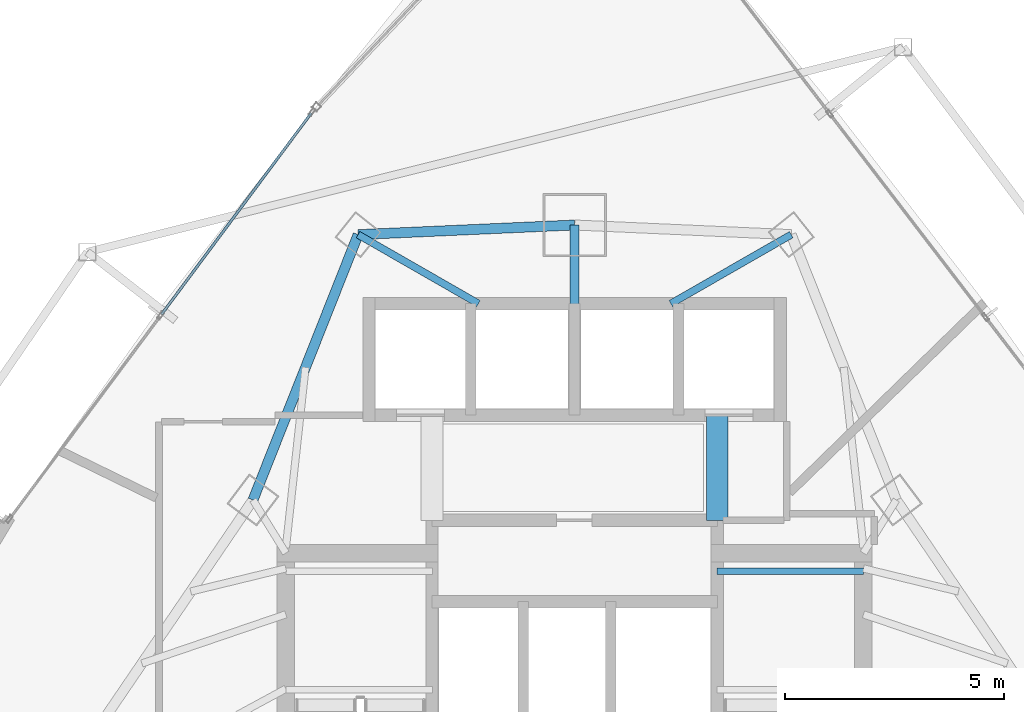
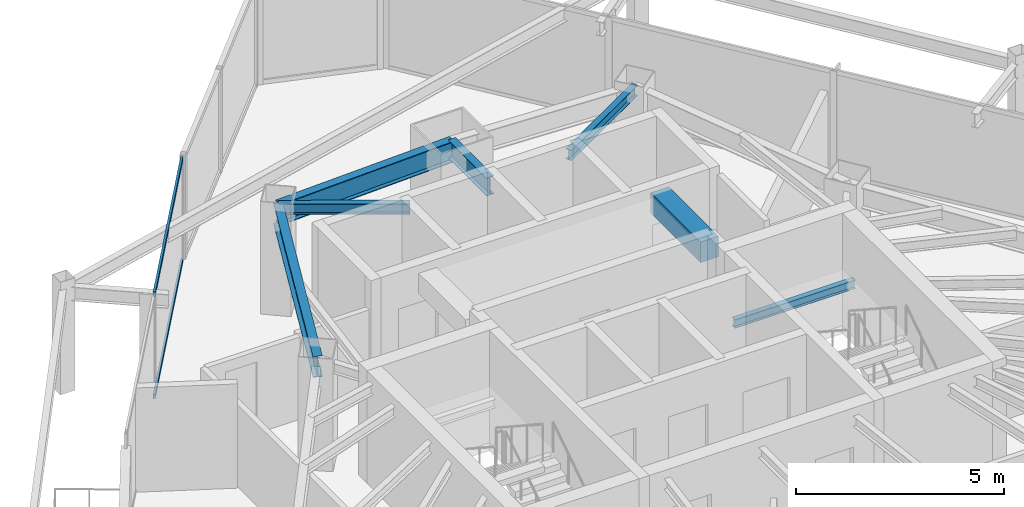
# One storey, part 18 of 31: 7 beams, 2 members, 1 element without a shape of its own.
"""IFC4 building model written with IfcOpenShell, lengths in metres."""

from ifc_helpers import new_model, si_unit, direction, frame, origin, origin_2d, place, context, subcontext, project, spatial, rectangle, hollow_rectangle, i_section, extrude, material, layer, layer_set, material_profile, profile_set, type_object, element, aggregate, save


model = new_model("IFC4")

# Units and contexts
model_context = context("Model", 3, precision=1e-05, world=origin(), true_north=direction((0.0, 1.0)))
body_context = subcontext(model_context, "Body", "Model", "MODEL_VIEW")
ifc_project = project(units=[si_unit("LENGTHUNIT", "METRE"), si_unit("AREAUNIT", "SQUARE_METRE"), si_unit("VOLUMEUNIT", "CUBIC_METRE"), si_unit("PLANEANGLEUNIT", "RADIAN"), si_unit("MASSUNIT", "GRAM", prefix="KILO")], contexts=[model_context])

# Site, building, storey
site_placement = place(None, origin())
site = spatial("IfcSite", under=ifc_project, at=site_placement, CompositionType="ELEMENT")
building_placement = place(site_placement, origin())
building = spatial("IfcBuilding", under=site, at=building_placement, Name="Orvanel Arch Residences", CompositionType="ELEMENT")
storey_placement = place(building_placement, frame((0.0, 0.0, 110.0)))
storey = spatial("IfcBuildingStorey", under=building, at=storey_placement, Name="L30", CompositionType="ELEMENT", Elevation=110.0)

# Beams
ifc_material_1 = material(Name="Structural steel AS/NZS 3679.1 Grade 300 (300 MPa)", Category="steel")
ifc_material_profile_1 = material_profile(ifc_material_1, i_section(OverallWidth=0.208984375, OverallDepth=0.532958984375, WebThickness=0.01025390625, FlangeThickness=0.015625, at=origin_2d()), Name="530UB92.4")
ifc_profile_set_1 = profile_set([ifc_material_profile_1], Name="Structural steel AS/NZS 3679.1 Grade 300 (300 MPa)")
beam_type_1 = type_object("IfcBeamType", Name="BG-530UB", PredefinedType="BEAM", material=ifc_profile_set_1)
beam_1_placement = place(storey_placement, frame((33.0, 39.550048828125, 2.7939453125), z_axis=(0.0, 1.0, 0.0), x_axis=(-1.0, 0.0, 0.0)))
element("IfcBeam", 1, at=beam_1_placement, inside=storey, type_object=beam_type_1, Name="L30 North Radial Girder", PredefinedType="BEAM", context=body_context, shape_type="SweptSolid", body=[
    extrude(i_section(OverallWidth=0.208984375, OverallDepth=0.532958984375, WebThickness=0.01025390625, FlangeThickness=0.015625, at=origin_2d()), origin(), (0.0, 0.0, 1.0), 1.847900390625),
])
ifc_material_profile_2 = material_profile(ifc_material_1, i_section(OverallWidth=0.14599609375, OverallDepth=0.251953125, WebThickness=0.006103515625, FlangeThickness=0.008544921875, at=origin_2d()), Name="250UB31.4")
ifc_profile_set_2 = profile_set([ifc_material_profile_2], Name="Structural steel AS/NZS 3679.1 Grade 300 (300 MPa)")
beam_type_2 = type_object("IfcBeamType", Name="BJ-250UB", PredefinedType="JOIST", material=ifc_profile_set_2)
beam_2_placement = place(storey_placement, frame((36.25, 33.47998046875, 1.323974609375), z_axis=(1.0, 0.0, 0.0), x_axis=(0.0, 1.0, 0.0)))
element("IfcBeam", 2, at=beam_2_placement, inside=storey, type_object=beam_type_2, Name="L30 ST-2 Half-Landing Support Beam 1.2", PredefinedType="JOIST", context=body_context, shape_type="SweptSolid", body=[
    extrude(i_section(OverallWidth=0.14599609375, OverallDepth=0.251953125, WebThickness=0.006103515625, FlangeThickness=0.008544921875, at=origin_2d()), origin(), (0.0, 0.0, 1.0), 3.35009765625),
])
ifc_material_profile_3 = material_profile(ifc_material_1, i_section(OverallWidth=0.1650390625, OverallDepth=0.303955078125, WebThickness=0.006103515625, FlangeThickness=0.01025390625, at=origin_2d()), Name="310UB40.4")
ifc_profile_set_3 = profile_set([ifc_material_profile_3], Name="Structural steel AS/NZS 3679.1 Grade 300 (300 MPa)")
beam_type_3 = type_object("IfcBeamType", Name="BJ-310UB", PredefinedType="JOIST", material=ifc_profile_set_3)
for number, where, z_axis, x_axis, name in (
    (3, (30.800048828125, 39.60009765625, 2.907958984375), (-0.86736513383, 0.497672306458, 0.0), (-0.497672306458, -0.86736513383, 0.0), "L30 MNW Wing Floor Joist"),
    (4, (35.199951171875, 39.60009765625, 2.907958984375), (0.86736513383, 0.497672306458, 0.0), (-0.497672306458, 0.86736513383, 0.0), "L30 MNE Wing Floor Joist"),
):
    element("IfcBeam", number, at=place(storey_placement, frame(where, z_axis=z_axis, x_axis=x_axis)), inside=storey, type_object=beam_type_3, Name=name, PredefinedType="JOIST", context=body_context, shape_type="SweptSolid", body=[
        extrude(i_section(OverallWidth=0.1650390625, OverallDepth=0.303955078125, WebThickness=0.006103515625, FlangeThickness=0.01025390625, at=origin_2d()), origin(), (0.0, 0.0, 1.0), 3.17041015625),
    ])
ifc_material_2 = material(Name="Concrete S65 (65 MPa)", Category="concrete")
ifc_material_profile_4 = material_profile(ifc_material_2, rectangle(XDim=0.5, YDim=0.60009765625, at=origin_2d()), Name="RC500x600")
ifc_profile_set_4 = profile_set([ifc_material_profile_4], Name="Concrete S65 (65 MPa)")
beam_type_4 = type_object("IfcBeamType", Name="CB-500x600", PredefinedType="LINTEL", material=ifc_profile_set_4)
beam_3_placement = place(storey_placement, frame((36.260009765625, 34.64990234375, 2.760009765625), z_axis=(0.0, 1.0, 0.0), x_axis=(-1.0, 0.0, 0.0)))
element("IfcBeam", 5, at=beam_3_placement, inside=storey, type_object=beam_type_4, Name="L30 East Core Lobby Coupling Lintel Beam", PredefinedType="LINTEL", context=body_context, shape_type="SweptSolid", body=[
    extrude(rectangle(XDim=0.5, YDim=0.60009765625, at=origin_2d()), origin(), (0.0, 0.0, 1.0), 2.400146484375),
])
ifc_material_profile_5 = material_profile(ifc_material_1, i_section(OverallWidth=0.22900390625, OverallDepth=0.612060546875, WebThickness=0.011962890625, FlangeThickness=0.01953125, at=origin_2d()), Name="610UB125")
ifc_profile_set_5 = profile_set([ifc_material_profile_5], Name="Structural steel AS/NZS 3679.1 Grade 300 (300 MPa)")
beam_type_5 = type_object("IfcBeamType", Name="SP-610UB", PredefinedType="SPANDREL", material=ifc_profile_set_5)
beam_4_placement = place(storey_placement, frame((33.0, 41.39794921875, 2.75390625), z_axis=(-0.999014049296, -0.044395149614, 0.0), x_axis=(0.044395149614, -0.999014049296, 0.0)))
element("IfcBeam", 6, at=beam_4_placement, inside=storey, type_object=beam_type_5, Name="L30 Perimeter Spandrel Beam 15", PredefinedType="SPANDREL", context=body_context, shape_type="SweptSolid", body=[
    extrude(i_section(OverallWidth=0.22900390625, OverallDepth=0.612060546875, WebThickness=0.011962890625, FlangeThickness=0.01953125, at=origin_2d()), origin(), (0.0, 0.0, 1.0), 4.954833984375),
])
beam_5_placement = place(storey_placement, frame((28.050048828125, 41.177978515625, 2.75390625), z_axis=(-0.368233143579, -0.929733484376, 0.0), x_axis=(0.929733484376, -0.368233143579, 0.0)))
element("IfcBeam", 7, at=beam_5_placement, inside=storey, type_object=beam_type_5, Name="L30 Perimeter Spandrel Beam 16", PredefinedType="SPANDREL", context=body_context, shape_type="SweptSolid", body=[
    extrude(i_section(OverallWidth=0.22900390625, OverallDepth=0.612060546875, WebThickness=0.011962890625, FlangeThickness=0.01953125, at=origin_2d()), origin(), (0.0, 0.0, 1.0), 6.523193359375),
])

# Curtain wall, members
ifc_material_3 = material(Name="Bronze-anodised aluminium AA6063-T6", Category="aluminium")
ifc_layer = layer(ifc_material_3, 0.179931640625)
ifc_layer_set = layer_set([ifc_layer], Name="Bronze-anodised aluminium AA6063-T6")
curtain_wall_type = type_object("IfcCurtainWallType", Name="CW3-MID-SYS", PredefinedType="NOTDEFINED", material=ifc_layer_set)
curtain_wall_placement = place(storey_placement, origin())
curtain_wall = element("IfcCurtainWall", 8, at=curtain_wall_placement, inside=storey, type_object=curtain_wall_type, Name="L30 CW3-MID-SYS Unitised Curtain Wall", PredefinedType="NOTDEFINED")
ifc_material_profile_6 = material_profile(ifc_material_3, hollow_rectangle(XDim=0.06005859375, YDim=0.135009765625, WallThickness=0.00390625, at=origin_2d()), Name="ALU135x60x4")
ifc_profile_set_6 = profile_set([ifc_material_profile_6], Name="Bronze-anodised aluminium AA6063-T6")
member_type = type_object("IfcMemberType", Name="TRN-135x60", PredefinedType="USERDEFINED", material=ifc_profile_set_6)
member_1_placement = place(storey_placement, frame((26.979248046875, 43.952880859375, 0.030029296875), z_axis=(-0.596981423702, -0.80225505904, 0.0), x_axis=(0.80225505904, -0.596981423702, 0.0)))
member_1 = element("IfcMember", 9, at=member_1_placement, type_object=member_type, Name="CW-S3 transom 1.1", ObjectType="TRANSOM", PredefinedType="USERDEFINED", context=body_context, shape_type="SweptSolid", body=[
    extrude(hollow_rectangle(XDim=0.06005859375, YDim=0.135009765625, WallThickness=0.00390625, at=origin_2d()), origin(), (0.0, 0.0, 1.0), 5.727783203125),
])
member_2_placement = place(storey_placement, frame((26.979248046875, 43.952880859375, 3.030029296875), z_axis=(-0.596981423702, -0.80225505904, 0.0), x_axis=(0.80225505904, -0.596981423702, 0.0)))
member_2 = element("IfcMember", 10, at=member_2_placement, type_object=member_type, Name="CW-S3 transom 1.2", ObjectType="TRANSOM", PredefinedType="USERDEFINED", context=body_context, shape_type="SweptSolid", body=[
    extrude(hollow_rectangle(XDim=0.06005859375, YDim=0.135009765625, WallThickness=0.00390625, at=origin_2d()), origin(), (0.0, 0.0, 1.0), 5.727783203125),
])
aggregate(curtain_wall, [member_1, member_2])

save(model, "model.ifc")
